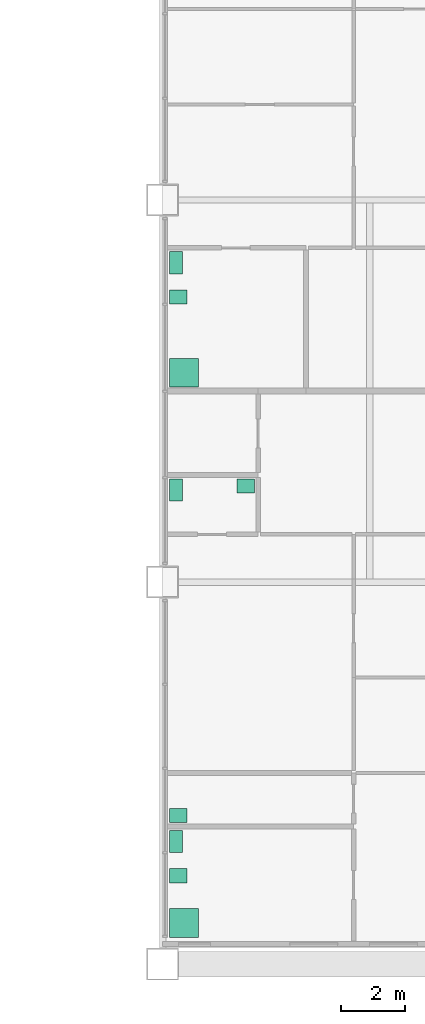
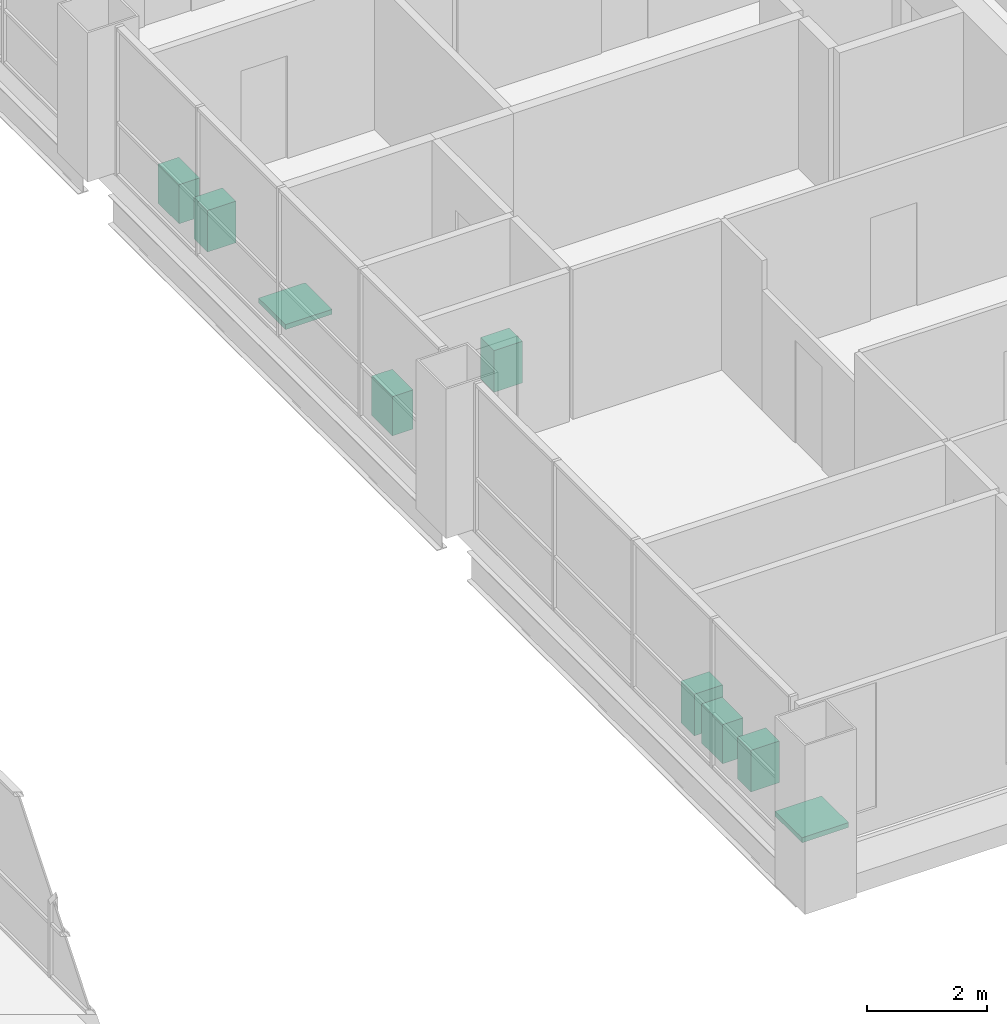
# One storey, part 13 of 13: 9 sanitary terminals.
"""IFC4 building model written with IfcOpenShell, lengths in metres."""

from ifc_helpers import new_model, si_unit, direction, frame, origin, origin_2d, place, context, subcontext, project, spatial, rectangle, extrude, material, type_object, element, save


model = new_model("IFC4")

# Units and contexts
model_context = context("Model", 3, precision=1e-05, world=origin(), true_north=direction((0.0, 1.0)))
body_context = subcontext(model_context, "Body", "Model", "MODEL_VIEW")
ifc_project = project(units=[si_unit("LENGTHUNIT", "METRE"), si_unit("AREAUNIT", "SQUARE_METRE"), si_unit("VOLUMEUNIT", "CUBIC_METRE"), si_unit("PLANEANGLEUNIT", "RADIAN"), si_unit("MASSUNIT", "GRAM", prefix="KILO")], contexts=[model_context])

# Site, building, storey
site_placement = place(None, origin())
site = spatial("IfcSite", under=ifc_project, at=site_placement, CompositionType="ELEMENT")
building_placement = place(site_placement, origin())
building = spatial("IfcBuilding", under=site, at=building_placement, Name="Kitamizu Gate Tower and Museum", CompositionType="ELEMENT")
storey_placement = place(building_placement, frame((0.0, 0.0, 252.449951171875)))
storey = spatial("IfcBuildingStorey", under=building, at=storey_placement, Name="L68", CompositionType="ELEMENT", Elevation=252.449951171875)

# Sanitary terminals
ifc_material_1 = material(Name="Acrylic")
sanitary_terminal_type_1 = type_object("IfcSanitaryTerminalType", Name="Shower tray", PredefinedType="SHOWER", material=ifc_material_1)
for number, where, z_axis, x_axis, name in (
    (1, (36.669921875, 13.2900390625, 0.0009765625), (0.0, 0.0, 1.0), (1.0, 0.0, 0.0), "Shower tray En-suite bathroom 68C"),
    (2, (36.669921875, 30.570068359375, 0.0009765625), (0.0, 0.0, 1.0), (1.0, 0.0, 0.0), "Shower tray En-suite bathroom and WC 68D"),
):
    element("IfcSanitaryTerminal", number, at=place(storey_placement, frame(where, z_axis=z_axis, x_axis=x_axis)), inside=storey, type_object=sanitary_terminal_type_1, Name=name, PredefinedType="SHOWER", context=body_context, shape_type="SweptSolid", body=[
        extrude(rectangle(XDim=0.89990234375, YDim=0.89990234375, at=origin_2d()), origin(), (0.0, 0.0, 1.0), 0.10009765625),
    ])
ifc_material_2 = material(Name="Vitreous china")
sanitary_terminal_type_2 = type_object("IfcSanitaryTerminalType", Name="Wash hand basin", PredefinedType="WASHHANDBASIN", material=ifc_material_2)
for number, where, z_axis, x_axis, name in (
    (3, (36.4951171875, 14.77490234375, 0.0009765625), (0.0, 0.0, 1.0), (1.0, 0.0, 0.0), "Wash hand basin En-suite bathroom 68C"),
    (4, (36.4951171875, 16.6650390625, 0.0009765625), (0.0, 0.0, 1.0), (1.0, 0.0, 0.0), "Wash hand basin Wash room 68C"),
    (5, (38.60498046875, 27.01708984375, 0.0009765625), (0.0, 0.0, 1.0), (1.0, 0.0, 0.0), "Wash hand basin WC 68C"),
    (6, (36.4951171875, 32.955078125, 0.0009765625), (0.0, 0.0, 1.0), (1.0, 0.0, 0.0), "Wash hand basin En-suite bathroom and WC 68D"),
):
    element("IfcSanitaryTerminal", number, at=place(storey_placement, frame(where, z_axis=z_axis, x_axis=x_axis)), inside=storey, type_object=sanitary_terminal_type_2, Name=name, PredefinedType="WASHHANDBASIN", context=body_context, shape_type="SweptSolid", body=[
        extrude(rectangle(XDim=0.550048828125, YDim=0.449951171875, at=origin_2d()), origin(), (0.0, 0.0, 1.0), 0.85009765625),
    ])
ifc_material_3 = material(Name="Vitreous china")
sanitary_terminal_type_3 = type_object("IfcSanitaryTerminalType", Name="Water closet", PredefinedType="TOILETPAN", material=ifc_material_3)
for number, where, z_axis, x_axis, name in (
    (7, (36.419921875, 15.85009765625, 0.0009765625), (0.0, 0.0, 1.0), (1.0, 0.0, 0.0), "Water closet En-suite bathroom 68C"),
    (8, (36.419921875, 26.89208984375, 0.0009765625), (0.0, 0.0, 1.0), (1.0, 0.0, 0.0), "Water closet WC 68C"),
    (9, (36.419921875, 34.030029296875, 0.0009765625), (0.0, 0.0, 1.0), (1.0, 0.0, 0.0), "Water closet En-suite bathroom and WC 68D"),
):
    element("IfcSanitaryTerminal", number, at=place(storey_placement, frame(where, z_axis=z_axis, x_axis=x_axis)), inside=storey, type_object=sanitary_terminal_type_3, Name=name, PredefinedType="TOILETPAN", context=body_context, shape_type="SweptSolid", body=[
        extrude(rectangle(XDim=0.39990234375, YDim=0.699951171875, at=origin_2d()), origin(), (0.0, 0.0, 1.0), 0.800048828125),
    ])

save(model, "model.ifc")
